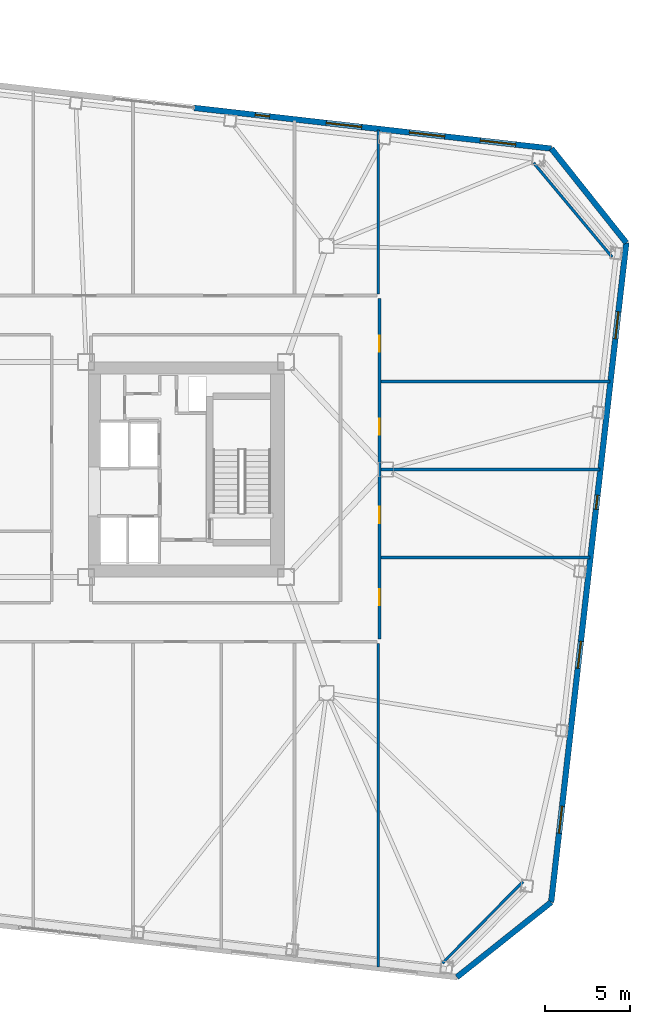
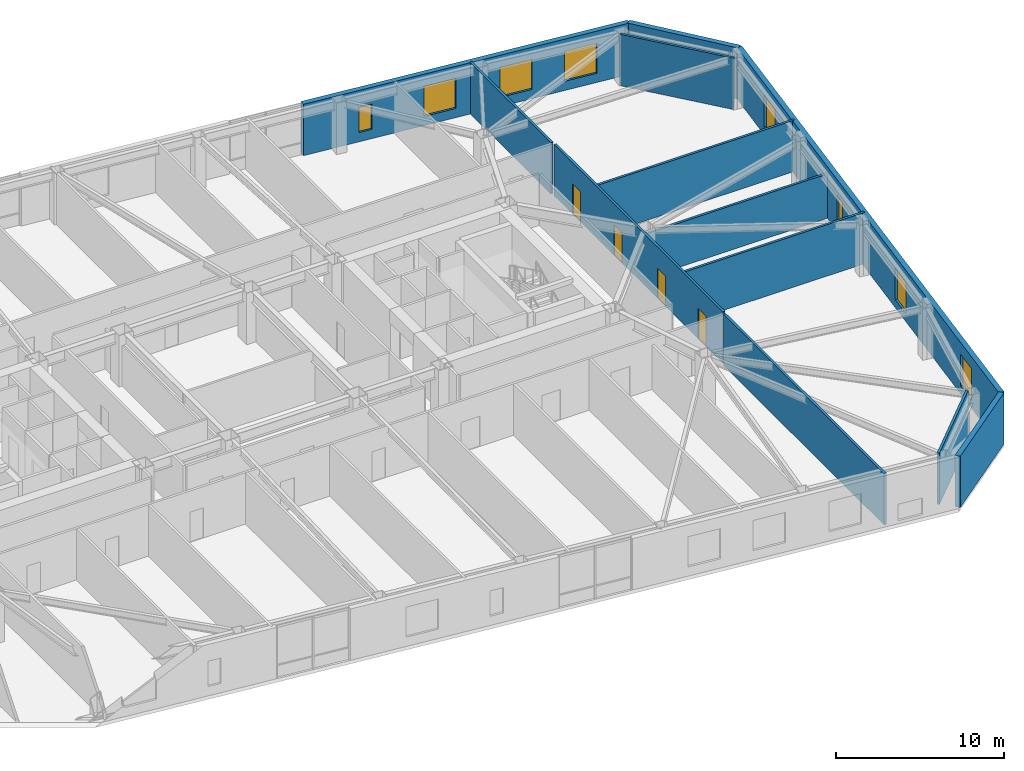
# One storey, part 15 of 21: 12 walls, 8 windows, 4 doors, 12 openings.
"""IFC4 building model written with IfcOpenShell, lengths in metres."""

from ifc_helpers import new_model, si_unit, direction, frame, frame_2d, origin, place, context, subcontext, project, spatial, rectangle, extrude, material, layer, layer_set, type_object, element, fill, save


model = new_model("IFC4")

# Units and contexts
model_context = context("Model", 3, precision=1e-05, world=origin(), true_north=direction((0.0, 1.0)))
body_context = subcontext(model_context, "Body", "Model", "MODEL_VIEW")
ifc_project = project(units=[si_unit("LENGTHUNIT", "METRE"), si_unit("AREAUNIT", "SQUARE_METRE"), si_unit("VOLUMEUNIT", "CUBIC_METRE"), si_unit("PLANEANGLEUNIT", "RADIAN"), si_unit("MASSUNIT", "GRAM", prefix="KILO")], contexts=[model_context])

# Site, building, storey
site_placement = place(None, origin())
site = spatial("IfcSite", under=ifc_project, at=site_placement, CompositionType="ELEMENT")
building_placement = place(site_placement, origin())
building = spatial("IfcBuilding", under=site, at=building_placement, Name="Tavrogorsk Clinical Tower", CompositionType="ELEMENT")
storey_placement = place(building_placement, frame((0.0, 0.0, 129.39990234375)))
storey = spatial("IfcBuildingStorey", under=building, at=storey_placement, Name="L29", CompositionType="ELEMENT", Elevation=129.39990234375)

# Walls
ifc_material_1 = material(Name="Lightweight concrete blockwork B15", Category="masonry")
ifc_layer_1 = layer(ifc_material_1, 0.159912109375)
ifc_layer_set_1 = layer_set([ifc_layer_1], Name="Lightweight concrete blockwork B15")
wall_type_1 = type_object("IfcWallType", Name="PartitionWall_160", PredefinedType="PARTITIONING", material=ifc_layer_set_1)
wall_1_placement = place(storey_placement, frame((31.34130859375, -29.162109375, 0.0), z_axis=(0.0, 0.0, 1.0), x_axis=(0.702905898933, 0.711282853192, 0.0)))
element("IfcWall", 1, at=wall_1_placement, inside=storey, type_object=wall_type_1, Name="L29 Corner Exoskeleton Brace Furring Wall 1", PredefinedType="PARTITIONING", context=body_context, shape_type="SweptSolid", body=[
    extrude(rectangle(XDim=6.761474609375, YDim=0.159912109375, at=frame_2d((3.380859375, 0.0))), origin(), (0.0, 0.0, 1.0), 3.739990234375),
])
wall_2_placement = place(storey_placement, frame((41.36083984375, 12.555908203125, 0.0), z_axis=(0.0, 0.0, 1.0), x_axis=(-0.640217638562, 0.768193579298, 0.0)))
element("IfcWall", 2, at=wall_2_placement, inside=storey, type_object=wall_type_1, Name="L29 Corner Exoskeleton Brace Furring Wall 2", PredefinedType="PARTITIONING", context=body_context, shape_type="SweptSolid", body=[
    extrude(rectangle(XDim=7.224365234375, YDim=0.159912109375, at=frame_2d((3.6123046875, 0.0))), origin(), (0.0, 0.0, 1.0), 3.739990234375),
])

# Wall, openings, doors
wall_3_placement = place(storey_placement, frame((27.6298828125, 10.114990234375, 0.0), z_axis=(0.0, 0.0, 1.0), x_axis=(0.0, -1.0, 0.0)))
wall_3 = element("IfcWall", 3, at=wall_3_placement, inside=storey, type_object=wall_type_1, Name="L29 Corridor Partition 03", PredefinedType="PARTITIONING", context=body_context, shape_type="SweptSolid", body=[
    extrude(rectangle(XDim=20.1298828125, YDim=0.159912109375, at=frame_2d((10.06494140625, 0.0))), origin(), (0.0, 0.0, 1.0), 3.739990234375),
])
opening_1_placement = place(wall_3_placement, frame((17.180908203125, 0.0, 0.0)))
opening_1 = element("IfcOpeningElement", 4, at=opening_1_placement, cuts=wall_3, Name="Opening ID-02", PredefinedType="OPENING", context=body_context, shape_type="SweptSolid", body=[
    extrude(rectangle(XDim=0.949951171875, YDim=2.199951171875, at=frame_2d((0.47509765625, 1.10009765625))), frame((0.0, 0.08984375, 0.0), z_axis=(0.0, -1.0, 0.0), x_axis=(1.0, 0.0, 0.0)), (0.0, 0.0, 1.0), 0.179931640625),
])
opening_2_placement = place(wall_3_placement, frame((12.324951171875, 0.0, 0.0)))
opening_2 = element("IfcOpeningElement", 5, at=opening_2_placement, cuts=wall_3, Name="Opening ID-02", PredefinedType="OPENING", context=body_context, shape_type="SweptSolid", body=[
    extrude(rectangle(XDim=0.949951171875, YDim=2.199951171875, at=frame_2d((0.47509765625, 1.10009765625))), frame((0.0, 0.08984375, 0.0), z_axis=(0.0, -1.0, 0.0), x_axis=(1.0, 0.0, 0.0)), (0.0, 0.0, 1.0), 0.179931640625),
])
opening_3_placement = place(wall_3_placement, frame((7.125, 0.0, 0.0)))
opening_3 = element("IfcOpeningElement", 6, at=opening_3_placement, cuts=wall_3, Name="Opening ID-02", PredefinedType="OPENING", context=body_context, shape_type="SweptSolid", body=[
    extrude(rectangle(XDim=0.949951171875, YDim=2.199951171875, at=frame_2d((0.47509765625, 1.10009765625))), frame((0.0, 0.08984375, 0.0), z_axis=(0.0, -1.0, 0.0), x_axis=(1.0, 0.0, 0.0)), (0.0, 0.0, 1.0), 0.179931640625),
])
opening_4_placement = place(wall_3_placement, frame((2.218994140625, 0.0, 0.0)))
opening_4 = element("IfcOpeningElement", 7, at=opening_4_placement, cuts=wall_3, Name="Opening ID-02", PredefinedType="OPENING", context=body_context, shape_type="SweptSolid", body=[
    extrude(rectangle(XDim=0.949951171875, YDim=2.199951171875, at=frame_2d((0.47509765625, 1.10009765625))), frame((0.0, 0.08984375, 0.0), z_axis=(0.0, -1.0, 0.0), x_axis=(1.0, 0.0, 0.0)), (0.0, 0.0, 1.0), 0.179931640625),
])
ifc_material_2 = material(Name="Laminated timber leaf on aluminium frame", Category="wood")
door_type = type_object("IfcDoorType", Name="InteriorDoor_ID02_950", OperationType="NOTDEFINED", PredefinedType="DOOR", material=ifc_material_2)
door_1_placement = place(opening_1_placement, origin())
door_1 = element("IfcDoor", 8, at=door_1_placement, inside=storey, type_object=door_type, Name="L29 E Senior Clinician Suite 1 Door", OperationType="SINGLE_SWING_RIGHT", OverallHeight=2.199951171875, OverallWidth=0.949951171875, PredefinedType="DOOR", context=body_context, shape_type="SweptSolid", body=[
    extrude(rectangle(XDim=0.949951171875, YDim=2.199951171875, at=frame_2d((0.47509765625, 1.10009765625))), frame((0.0, 0.02490234375, 0.0), z_axis=(0.0, -1.0, 0.0), x_axis=(1.0, 0.0, 0.0)), (0.0, 0.0, 1.0), 0.050048828125),
])
fill(opening_1, door_1)
door_2_placement = place(opening_2_placement, origin())
door_2 = element("IfcDoor", 9, at=door_2_placement, inside=storey, type_object=door_type, Name="L29 E Multidisciplinary Seminar Suite 2 Door", OperationType="SINGLE_SWING_LEFT", OverallHeight=2.199951171875, OverallWidth=0.949951171875, PredefinedType="DOOR", context=body_context, shape_type="SweptSolid", body=[
    extrude(rectangle(XDim=0.949951171875, YDim=2.199951171875, at=frame_2d((0.47509765625, 1.10009765625))), frame((0.0, 0.02490234375, 0.0), z_axis=(0.0, -1.0, 0.0), x_axis=(1.0, 0.0, 0.0)), (0.0, 0.0, 1.0), 0.050048828125),
])
fill(opening_2, door_2)
door_3_placement = place(opening_3_placement, origin())
door_3 = element("IfcDoor", 10, at=door_3_placement, inside=storey, type_object=door_type, Name="L29 E Specialist Consultation Room 3 Door", OperationType="SINGLE_SWING_RIGHT", OverallHeight=2.199951171875, OverallWidth=0.949951171875, PredefinedType="DOOR", context=body_context, shape_type="SweptSolid", body=[
    extrude(rectangle(XDim=0.949951171875, YDim=2.199951171875, at=frame_2d((0.47509765625, 1.10009765625))), frame((0.0, 0.02490234375, 0.0), z_axis=(0.0, -1.0, 0.0), x_axis=(1.0, 0.0, 0.0)), (0.0, 0.0, 1.0), 0.050048828125),
])
fill(opening_3, door_3)
door_4_placement = place(opening_4_placement, origin())
door_4 = element("IfcDoor", 11, at=door_4_placement, inside=storey, type_object=door_type, Name="L29 E Clinical Fellows' Study 4 Door", OperationType="SINGLE_SWING_LEFT", OverallHeight=2.199951171875, OverallWidth=0.949951171875, PredefinedType="DOOR", context=body_context, shape_type="SweptSolid", body=[
    extrude(rectangle(XDim=0.949951171875, YDim=2.199951171875, at=frame_2d((0.47509765625, 1.10009765625))), frame((0.0, 0.02490234375, 0.0), z_axis=(0.0, -1.0, 0.0), x_axis=(1.0, 0.0, 0.0)), (0.0, 0.0, 1.0), 0.050048828125),
])
fill(opening_4, door_4)

# Walls
wall_4_placement = place(storey_placement, frame((27.550048828125, 10.364990234375, 0.0), z_axis=(0.0, 0.0, 1.0), x_axis=(0.0, 1.0, 0.0)))
element("IfcWall", 12, at=wall_4_placement, inside=storey, type_object=wall_type_1, Name="L29 NE Wing Closure Partition", PredefinedType="PARTITIONING", context=body_context, shape_type="SweptSolid", body=[
    extrude(rectangle(XDim=9.6884765625, YDim=0.159912109375, at=frame_2d((4.84423828125, 0.0))), origin(), (0.0, 0.0, 1.0), 3.739990234375),
])
wall_5_placement = place(storey_placement, frame((27.550048828125, -29.384521484375, 0.0), z_axis=(0.0, 0.0, 1.0), x_axis=(0.0, 1.0, 0.0)))
element("IfcWall", 13, at=wall_5_placement, inside=storey, type_object=wall_type_1, Name="L29 SE Wing Closure Partition", PredefinedType="PARTITIONING", context=body_context, shape_type="SweptSolid", body=[
    extrude(rectangle(XDim=19.11962890625, YDim=0.159912109375, at=frame_2d((9.559814453125, 0.0))), origin(), (0.0, 0.0, 1.0), 3.739990234375),
])
wall_6_placement = place(storey_placement, frame((27.715087890625, -5.199951171875, 0.0), z_axis=(0.0, 0.0, 1.0), x_axis=(1.0, 0.0, 0.0)))
element("IfcWall", 14, at=wall_6_placement, inside=storey, type_object=wall_type_1, Name="L29 E Wing Divider 1", PredefinedType="PARTITIONING", context=body_context, shape_type="SweptSolid", body=[
    extrude(rectangle(XDim=12.35205078125, YDim=0.159912109375, at=frame_2d((6.176025390625, 0.0))), origin(), (0.0, 0.0, 1.0), 3.739990234375),
])
wall_7_placement = place(storey_placement, frame((27.715087890625, 0.0, 0.0), z_axis=(0.0, 0.0, 1.0), x_axis=(1.0, 0.0, 0.0)))
element("IfcWall", 15, at=wall_7_placement, inside=storey, type_object=wall_type_1, Name="L29 E Wing Divider 2", PredefinedType="PARTITIONING", context=body_context, shape_type="SweptSolid", body=[
    extrude(rectangle(XDim=12.944580078125, YDim=0.159912109375, at=frame_2d((6.47216796875, 0.0))), origin(), (0.0, 0.0, 1.0), 3.235107421875),
])
wall_8_placement = place(storey_placement, frame((27.715087890625, 5.199951171875, 0.0), z_axis=(0.0, 0.0, 1.0), x_axis=(1.0, 0.0, 0.0)))
element("IfcWall", 16, at=wall_8_placement, inside=storey, type_object=wall_type_1, Name="L29 E Wing Divider 3", PredefinedType="PARTITIONING", context=body_context, shape_type="SweptSolid", body=[
    extrude(rectangle(XDim=13.537109375, YDim=0.159912109375, at=frame_2d((6.7685546875, 0.0))), origin(), (0.0, 0.0, 1.0), 3.739990234375),
])

# Wall, openings, windows
ifc_material_3 = material(Name="Precast concrete B45 with limestone cladding", Category="masonry")
ifc_layer_2 = layer(ifc_material_3, 0.340087890625)
ifc_layer_set_2 = layer_set([ifc_layer_2], Name="Precast concrete B45 with limestone cladding")
wall_type_2 = type_object("IfcWallType", Name="PrecastLimestoneWall_340", PredefinedType="STANDARD", material=ifc_layer_set_2)
wall_9_placement = place(storey_placement, frame((37.77734375, 18.95849609375, 0.0), z_axis=(0.0, 0.0, 1.0), x_axis=(-0.993571362037, 0.113207546299, 0.0)))
wall_9 = element("IfcWall", 17, at=wall_9_placement, inside=storey, type_object=wall_type_2, Name="L29 N Limestone Facade Wall 1", PredefinedType="STANDARD", context=body_context, shape_type="SweptSolid", body=[
    extrude(rectangle(XDim=21.222900390625, YDim=0.340087890625, at=frame_2d((10.611328125, 0.0))), origin(), (0.0, 0.0, 1.0), 3.739990234375),
])
opening_5_placement = place(wall_9_placement, frame((16.75634765625, 0.0, 0.669921875)))
opening_5 = element("IfcOpeningElement", 18, at=opening_5_placement, cuts=wall_9, Name="Opening WN-06", PredefinedType="OPENING", context=body_context, shape_type="SweptSolid", body=[
    extrude(rectangle(XDim=0.85009765625, YDim=1.85009765625, at=frame_2d((0.425048828125, 0.925048828125))), frame((0.0, 0.179931640625, 0.0), z_axis=(0.0, -1.0, 0.0), x_axis=(1.0, 0.0, 0.0)), (0.0, 0.0, 1.0), 0.360107421875),
])
opening_6_placement = place(wall_9_placement, frame((11.284912109375, 0.0, 0.669921875)))
opening_6 = element("IfcOpeningElement", 19, at=opening_6_placement, cuts=wall_9, Name="Opening WN-03", PredefinedType="OPENING", context=body_context, shape_type="SweptSolid", body=[
    extrude(rectangle(XDim=2.10009765625, YDim=2.199951171875, at=frame_2d((1.050048828125, 1.10009765625))), frame((0.0, 0.179931640625, 0.0), z_axis=(0.0, -1.0, 0.0), x_axis=(1.0, 0.0, 0.0)), (0.0, 0.0, 1.0), 0.360107421875),
])
opening_7_placement = place(wall_9_placement, frame((6.335693359375, 0.0, 0.669921875)))
opening_7 = element("IfcOpeningElement", 20, at=opening_7_placement, cuts=wall_9, Name="Opening WN-03", PredefinedType="OPENING", context=body_context, shape_type="SweptSolid", body=[
    extrude(rectangle(XDim=2.10009765625, YDim=2.199951171875, at=frame_2d((1.050048828125, 1.10009765625))), frame((0.0, 0.179931640625, 0.0), z_axis=(0.0, -1.0, 0.0), x_axis=(1.0, 0.0, 0.0)), (0.0, 0.0, 1.0), 0.360107421875),
])
opening_8_placement = place(wall_9_placement, frame((2.125244140625, 0.0, 0.669921875)))
opening_8 = element("IfcOpeningElement", 21, at=opening_8_placement, cuts=wall_9, Name="Opening WN-03", PredefinedType="OPENING", context=body_context, shape_type="SweptSolid", body=[
    extrude(rectangle(XDim=2.10009765625, YDim=2.199951171875, at=frame_2d((1.050048828125, 1.10009765625))), frame((0.0, 0.179931640625, 0.0), z_axis=(0.0, -1.0, 0.0), x_axis=(1.0, 0.0, 0.0)), (0.0, 0.0, 1.0), 0.360107421875),
])
ifc_material_4 = material(Name="Thermally broken aluminium frame and triple IGU", Category="aluminium")
window_type_1 = type_object("IfcWindowType", Name="MullionSubWin_850x1850", PartitioningType="SINGLE_PANEL", PredefinedType="WINDOW", material=ifc_material_4)
window_1_placement = place(opening_5_placement, origin())
window_1 = element("IfcWindow", 22, at=window_1_placement, inside=storey, type_object=window_type_1, Name="L29 N Mullion Split Window 07B", OverallHeight=1.85009765625, OverallWidth=0.85009765625, PartitioningType="SINGLE_PANEL", PredefinedType="WINDOW", context=body_context, shape_type="SweptSolid", body=[
    extrude(rectangle(XDim=0.85009765625, YDim=1.85009765625, at=frame_2d((0.425048828125, 0.925048828125))), frame((0.0, 0.030029296875, 0.0), z_axis=(0.0, -1.0, 0.0), x_axis=(1.0, 0.0, 0.0)), (0.0, 0.0, 1.0), 0.06005859375),
])
fill(opening_5, window_1)
ifc_material_5 = material(Name="Thermally broken aluminium frame and triple IGU", Category="aluminium")
window_type_2 = type_object("IfcWindowType", Name="PatientTwinWin_2100x2200", PartitioningType="DOUBLE_PANEL_VERTICAL", PredefinedType="WINDOW", material=ifc_material_5)
window_2_placement = place(opening_6_placement, origin())
window_2 = element("IfcWindow", 23, at=window_2_placement, inside=storey, type_object=window_type_2, Name="L29 N Chicago Window 08", OverallHeight=2.199951171875, OverallWidth=2.10009765625, PartitioningType="SINGLE_PANEL", PredefinedType="WINDOW", context=body_context, shape_type="SweptSolid", body=[
    extrude(rectangle(XDim=2.10009765625, YDim=2.199951171875, at=frame_2d((1.050048828125, 1.10009765625))), frame((0.0, 0.030029296875, 0.0), z_axis=(0.0, -1.0, 0.0), x_axis=(1.0, 0.0, 0.0)), (0.0, 0.0, 1.0), 0.06005859375),
])
fill(opening_6, window_2)
window_3_placement = place(opening_7_placement, origin())
window_3 = element("IfcWindow", 24, at=window_3_placement, inside=storey, type_object=window_type_2, Name="L29 N Chicago Window 09", OverallHeight=2.199951171875, OverallWidth=2.10009765625, PartitioningType="SINGLE_PANEL", PredefinedType="WINDOW", context=body_context, shape_type="SweptSolid", body=[
    extrude(rectangle(XDim=2.10009765625, YDim=2.199951171875, at=frame_2d((1.050048828125, 1.10009765625))), frame((0.0, 0.030029296875, 0.0), z_axis=(0.0, -1.0, 0.0), x_axis=(1.0, 0.0, 0.0)), (0.0, 0.0, 1.0), 0.06005859375),
])
fill(opening_7, window_3)
window_4_placement = place(opening_8_placement, origin())
window_4 = element("IfcWindow", 25, at=window_4_placement, inside=storey, type_object=window_type_2, Name="L29 N Chicago Window 10", OverallHeight=2.199951171875, OverallWidth=2.10009765625, PartitioningType="SINGLE_PANEL", PredefinedType="WINDOW", context=body_context, shape_type="SweptSolid", body=[
    extrude(rectangle(XDim=2.10009765625, YDim=2.199951171875, at=frame_2d((1.050048828125, 1.10009765625))), frame((0.0, 0.030029296875, 0.0), z_axis=(0.0, -1.0, 0.0), x_axis=(1.0, 0.0, 0.0)), (0.0, 0.0, 1.0), 0.06005859375),
])
fill(opening_8, window_4)

wall_10_placement = place(storey_placement, frame((37.76806640625, -25.556396484375, 0.0), z_axis=(0.0, 0.0, 1.0), x_axis=(0.113201605824, 0.993572038877, 0.0)))
wall_10 = element("IfcWall", 26, at=wall_10_placement, inside=storey, type_object=wall_type_2, Name="L29 E Pleated Limestone Wing Wall", PredefinedType="STANDARD", context=body_context, shape_type="SweptSolid", body=[
    extrude(rectangle(XDim=39.199951171875, YDim=0.340087890625, at=frame_2d((19.60009765625, 0.0))), origin(), (0.0, 0.0, 1.0), 3.739990234375),
])
opening_9_placement = place(wall_10_placement, frame((4.10009765625, 0.0, 0.580078125)))
opening_9 = element("IfcOpeningElement", 27, at=opening_9_placement, cuts=wall_10, Name="Opening WN-07", PredefinedType="OPENING", context=body_context, shape_type="SweptSolid", body=[
    extrude(rectangle(XDim=1.60009765625, YDim=2.300048828125, at=frame_2d((0.800048828125, 1.14990234375))), frame((0.0, 0.179931640625, 0.0), z_axis=(0.0, -1.0, 0.0), x_axis=(1.0, 0.0, 0.0)), (0.0, 0.0, 1.0), 0.360107421875),
])
opening_10_placement = place(wall_10_placement, frame((13.89990234375, 0.0, 0.580078125)))
opening_10 = element("IfcOpeningElement", 28, at=opening_10_placement, cuts=wall_10, Name="Opening WN-07", PredefinedType="OPENING", context=body_context, shape_type="SweptSolid", body=[
    extrude(rectangle(XDim=1.60009765625, YDim=2.300048828125, at=frame_2d((0.800048828125, 1.14990234375))), frame((0.0, 0.179931640625, 0.0), z_axis=(0.0, -1.0, 0.0), x_axis=(1.0, 0.0, 0.0)), (0.0, 0.0, 1.0), 0.360107421875),
])
opening_11_placement = place(wall_10_placement, frame((23.35009765625, 0.0, 0.75)))
opening_11 = element("IfcOpeningElement", 29, at=opening_11_placement, cuts=wall_10, Name="Opening WN-06", PredefinedType="OPENING", context=body_context, shape_type="SweptSolid", body=[
    extrude(rectangle(XDim=0.85009765625, YDim=1.85009765625, at=frame_2d((0.425048828125, 0.925048828125))), frame((0.0, 0.179931640625, 0.0), z_axis=(0.0, -1.0, 0.0), x_axis=(1.0, 0.0, 0.0)), (0.0, 0.0, 1.0), 0.360107421875),
])
opening_12_placement = place(wall_10_placement, frame((33.5, 0.0, 0.580078125)))
opening_12 = element("IfcOpeningElement", 30, at=opening_12_placement, cuts=wall_10, Name="Opening WN-07", PredefinedType="OPENING", context=body_context, shape_type="SweptSolid", body=[
    extrude(rectangle(XDim=1.60009765625, YDim=2.300048828125, at=frame_2d((0.800048828125, 1.14990234375))), frame((0.0, 0.179931640625, 0.0), z_axis=(0.0, -1.0, 0.0), x_axis=(1.0, 0.0, 0.0)), (0.0, 0.0, 1.0), 0.360107421875),
])
window_5_placement = place(opening_11_placement, origin())
window_5 = element("IfcWindow", 31, at=window_5_placement, inside=storey, type_object=window_type_1, Name="L29 E Pleat Mullion Window 3A", OverallHeight=1.85009765625, OverallWidth=0.85009765625, PartitioningType="SINGLE_PANEL", PredefinedType="WINDOW", context=body_context, shape_type="SweptSolid", body=[
    extrude(rectangle(XDim=0.85009765625, YDim=1.85009765625, at=frame_2d((0.425048828125, 0.925048828125))), frame((0.0, 0.030029296875, 0.0), z_axis=(0.0, -1.0, 0.0), x_axis=(1.0, 0.0, 0.0)), (0.0, 0.0, 1.0), 0.06005859375),
])
fill(opening_11, window_5)
ifc_material_6 = material(Name="Thermally broken aluminium frame and triple IGU", Category="aluminium")
window_type_3 = type_object("IfcWindowType", Name="PleatSlotWin_1600x2300", PartitioningType="SINGLE_PANEL", PredefinedType="WINDOW", material=ifc_material_6)
window_6_placement = place(opening_9_placement, origin())
window_6 = element("IfcWindow", 32, at=window_6_placement, inside=storey, type_object=window_type_3, Name="L29 E Pleat Slot Window 1", OverallHeight=2.300048828125, OverallWidth=1.60009765625, PartitioningType="SINGLE_PANEL", PredefinedType="WINDOW", context=body_context, shape_type="SweptSolid", body=[
    extrude(rectangle(XDim=1.60009765625, YDim=2.300048828125, at=frame_2d((0.800048828125, 1.14990234375))), frame((0.0, 0.030029296875, 0.0), z_axis=(0.0, -1.0, 0.0), x_axis=(1.0, 0.0, 0.0)), (0.0, 0.0, 1.0), 0.06005859375),
])
fill(opening_9, window_6)
window_7_placement = place(opening_10_placement, origin())
window_7 = element("IfcWindow", 33, at=window_7_placement, inside=storey, type_object=window_type_3, Name="L29 E Pleat Slot Window 2", OverallHeight=2.300048828125, OverallWidth=1.60009765625, PartitioningType="SINGLE_PANEL", PredefinedType="WINDOW", context=body_context, shape_type="SweptSolid", body=[
    extrude(rectangle(XDim=1.60009765625, YDim=2.300048828125, at=frame_2d((0.800048828125, 1.14990234375))), frame((0.0, 0.030029296875, 0.0), z_axis=(0.0, -1.0, 0.0), x_axis=(1.0, 0.0, 0.0)), (0.0, 0.0, 1.0), 0.06005859375),
])
fill(opening_10, window_7)
window_8_placement = place(opening_12_placement, origin())
window_8 = element("IfcWindow", 34, at=window_8_placement, inside=storey, type_object=window_type_3, Name="L29 E Pleat Slot Window 4", OverallHeight=2.300048828125, OverallWidth=1.60009765625, PartitioningType="SINGLE_PANEL", PredefinedType="WINDOW", context=body_context, shape_type="SweptSolid", body=[
    extrude(rectangle(XDim=1.60009765625, YDim=2.300048828125, at=frame_2d((0.800048828125, 1.14990234375))), frame((0.0, 0.030029296875, 0.0), z_axis=(0.0, -1.0, 0.0), x_axis=(1.0, 0.0, 0.0)), (0.0, 0.0, 1.0), 0.06005859375),
])
fill(opening_12, window_8)

# Walls
wall_11_placement = place(storey_placement, frame((32.200927734375, -29.984619140625, 0.0), z_axis=(0.0, 0.0, 1.0), x_axis=(0.78261359446, 0.622507800567, 0.0)))
element("IfcWall", 35, at=wall_11_placement, inside=storey, type_object=wall_type_2, Name="L29 Chamfered Corner Wall 1", PredefinedType="STANDARD", context=body_context, shape_type="SweptSolid", body=[
    extrude(rectangle(XDim=7.113525390625, YDim=0.340087890625, at=frame_2d((3.556640625, 0.0))), origin(), (0.0, 0.0, 1.0), 3.739990234375),
])
wall_12_placement = place(storey_placement, frame((42.20556640625, 13.3916015625, 0.0), z_axis=(0.0, 0.0, 1.0), x_axis=(-0.622524521309, 0.782600294128, 0.0)))
element("IfcWall", 36, at=wall_12_placement, inside=storey, type_object=wall_type_2, Name="L29 Chamfered Corner Wall 2", PredefinedType="STANDARD", context=body_context, shape_type="SweptSolid", body=[
    extrude(rectangle(XDim=7.11328125, YDim=0.340087890625, at=frame_2d((3.556640625, 0.0))), origin(), (0.0, 0.0, 1.0), 3.739990234375),
])

save(model, "model.ifc")
